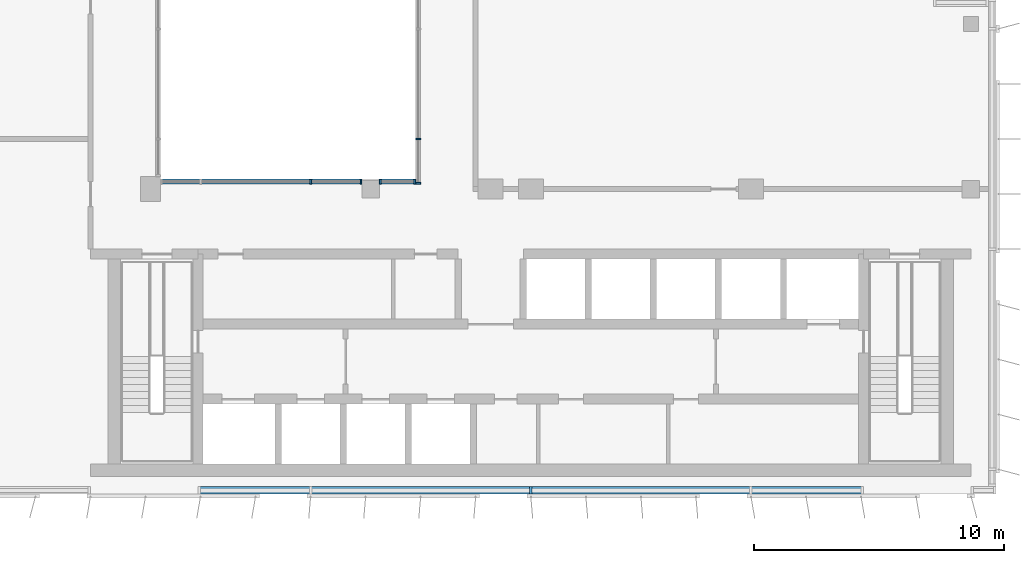
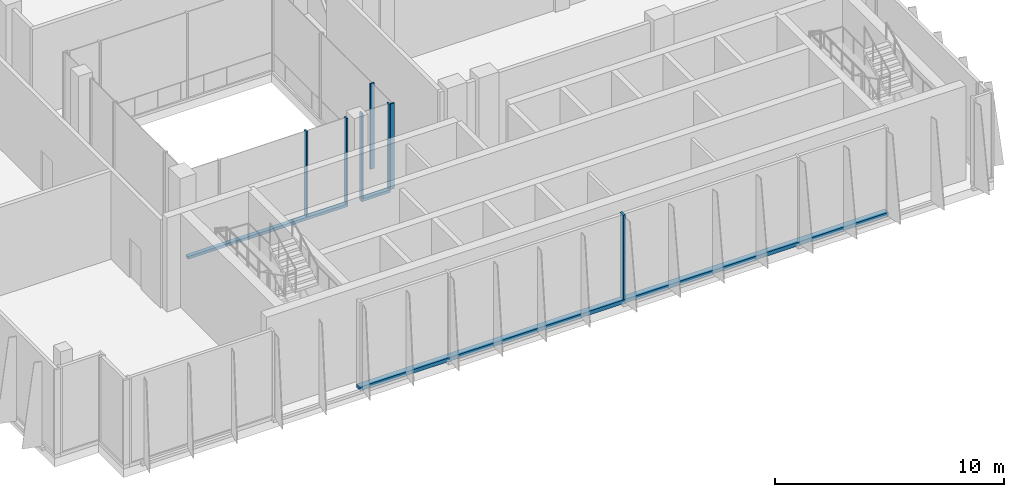
# One storey, part 3 of 14: 10 members, 4 elements without a shape of their own.
"""IFC4 building model written with IfcOpenShell, lengths in metres."""

from ifc_helpers import new_model, si_unit, direction, frame, origin, origin_2d, place, context, subcontext, project, spatial, rectangle, extrude, source, transform, mapped, material, material_profile, profile_set, type_object, element, aggregate, save


model = new_model("IFC4")

# Units and contexts
model_context = context("Model", 3, precision=1e-05, world=origin(), true_north=direction((0.0, 1.0)))
body_context = subcontext(model_context, "Body", "Model", "MODEL_VIEW")
ifc_project = project(units=[si_unit("LENGTHUNIT", "METRE"), si_unit("AREAUNIT", "SQUARE_METRE"), si_unit("VOLUMEUNIT", "CUBIC_METRE"), si_unit("PLANEANGLEUNIT", "RADIAN"), si_unit("MASSUNIT", "GRAM", prefix="KILO")], contexts=[model_context])

# Site, building, storey
site_placement = place(None, origin())
site = spatial("IfcSite", under=ifc_project, at=site_placement, CompositionType="ELEMENT")
building_placement = place(site_placement, origin())
building = spatial("IfcBuilding", under=site, at=building_placement, Name="Kemantara Hotel Tower", CompositionType="ELEMENT")
storey_placement = place(building_placement, frame((0.0, 0.0, 309.199951171875)))
storey = spatial("IfcBuildingStorey", under=building, at=storey_placement, Name="L78", CompositionType="ELEMENT", Elevation=309.199951171875)

# Curtain wall, member
ifc_material_1 = material(Name="Clear low-iron laminated glass 36 mm", Category="glass")
curtain_wall_type_1 = type_object("IfcCurtainWallType", Name="ATRIUM GLAZING WALL", PredefinedType="USERDEFINED", material=ifc_material_1)
curtain_wall_1_placement = place(storey_placement, origin())
curtain_wall_1 = element("IfcCurtainWall", 1, at=curtain_wall_1_placement, inside=storey, type_object=curtain_wall_type_1, Name="CW5 L78 ATR-R2-1", ObjectType="ATRIUM GLAZING WALL", PredefinedType="USERDEFINED")
ifc_material_2 = material(Name="Aluminium 6063-T6 bronze anodised", Category="aluminium")
ifc_material_profile_1 = material_profile(ifc_material_2, rectangle(XDim=0.199951171875, YDim=0.14990234375, at=origin_2d()), Name="ATRIUM GLAZING WALL TRANSOM")
ifc_profile_set_1 = profile_set([ifc_material_profile_1], Name="Aluminium 6063-T6 bronze anodised")
member_type_1 = type_object("IfcMemberType", Name="ATRIUM GLAZING WALL TRANSOM", PredefinedType="USERDEFINED", material=ifc_profile_set_1)
member_1_placement = place(storey_placement, frame((22.800048828125, 12.5, 0.074951171875), z_axis=(-1.0, 0.0, 0.0), x_axis=(0.0, -1.0, 0.0)))
member_1 = element("IfcMember", 2, at=member_1_placement, type_object=member_type_1, Name="CW5 sill transom ATR-R2-1", ObjectType="TRANSOM", PredefinedType="USERDEFINED", context=body_context, shape_type="SweptSolid", body=[
    extrude(rectangle(XDim=0.199951171875, YDim=0.14990234375, at=origin_2d()), origin(), (0.0, 0.0, 1.0), 1.449951171875),
])

curtain_wall_2_placement = place(storey_placement, origin())
curtain_wall_2 = element("IfcCurtainWall", 3, at=curtain_wall_2_placement, inside=storey, type_object=curtain_wall_type_1, Name="CW5 L78 ATR-R2-2", ObjectType="ATRIUM GLAZING WALL", PredefinedType="USERDEFINED")
member_2_placement = place(storey_placement, frame((20.64990234375, 12.5, 0.074951171875), z_axis=(-1.0, 0.0, 0.0), x_axis=(0.0, -1.0, 0.0)))
member_2 = element("IfcMember", 4, at=member_2_placement, type_object=member_type_1, Name="CW5 sill transom ATR-R2-2", ObjectType="TRANSOM", PredefinedType="USERDEFINED", context=body_context, shape_type="SweptSolid", body=[
    extrude(rectangle(XDim=0.199951171875, YDim=0.14990234375, at=origin_2d()), origin(), (0.0, 0.0, 1.0), 8.0498046875),
])

# Curtain wall, members
curtain_wall_type_2 = type_object("IfcCurtainWallType", Name="CROWN LOUVRE SCREEN WALL", PredefinedType="USERDEFINED", material=ifc_material_2)
curtain_wall_3_placement = place(storey_placement, origin())
curtain_wall_3 = element("IfcCurtainWall", 5, at=curtain_wall_3_placement, inside=storey, type_object=curtain_wall_type_2, Name="CW7 L78 CRN-R08-2", ObjectType="CROWN LOUVRE SCREEN WALL", PredefinedType="USERDEFINED")
ifc_material_profile_2 = material_profile(ifc_material_2, rectangle(XDim=0.300048828125, YDim=0.199951171875, at=origin_2d()), Name="CROWN LOUVRE SCREEN WALL TRANSOM")
ifc_profile_set_2 = profile_set([ifc_material_profile_2], Name="Aluminium 6063-T6 bronze anodised")
member_type_2 = type_object("IfcMemberType", Name="CROWN LOUVRE SCREEN WALL TRANSOM", PredefinedType="USERDEFINED", material=ifc_profile_set_2)
member_3_placement = place(storey_placement, frame((14.10009765625, 0.14990234375, 0.10009765625), z_axis=(1.0, 0.0, 0.0), x_axis=(0.0, 1.0, 0.0)))
member_3 = element("IfcMember", 6, at=member_3_placement, type_object=member_type_2, Name="CW7 sill transom CRN-R08-2", ObjectType="TRANSOM", PredefinedType="USERDEFINED", context=body_context, shape_type="SweptSolid", body=[
    extrude(rectangle(XDim=0.300048828125, YDim=0.199951171875, at=origin_2d()), origin(), (0.0, 0.0, 1.0), 26.599853515625),
])
ifc_material_profile_3 = material_profile(ifc_material_2, rectangle(XDim=0.300048828125, YDim=0.10009765625, at=origin_2d()), Name="CROWN LOUVRE SCREEN WALL MULLION")
ifc_profile_set_3 = profile_set([ifc_material_profile_3], Name="Aluminium 6063-T6 bronze anodised")
member_type_3 = type_object("IfcMemberType", Name="CROWN LOUVRE SCREEN WALL MULLION", PredefinedType="MULLION", material=ifc_profile_set_3)
shared_shape_1 = source(origin(), body_context, "Body", "SweptSolid", [
    extrude(rectangle(XDim=0.300048828125, YDim=0.10009765625, at=origin_2d()), origin(), (0.0, 0.0, 1.0), 4.5),
])
member_4_placement = place(storey_placement, frame((27.39990234375, 0.14990234375, 0.199951171875), z_axis=(0.0, 0.0, 1.0), x_axis=(0.0, 1.0, 0.0)))
member_4 = element("IfcMember", 7, at=member_4_placement, type_object=member_type_3, Name="CW7 mullion CRN-R08-2.3", PredefinedType="MULLION", context=body_context, shape_type="MappedRepresentation", body=[
    mapped(shared_shape_1, transform((0.0, 0.0, 0.0))),
])
aggregate(curtain_wall_3, [member_3, member_4])

curtain_wall_4_placement = place(storey_placement, origin())
curtain_wall_4 = element("IfcCurtainWall", 8, at=curtain_wall_4_placement, inside=storey, type_object=curtain_wall_type_1, Name="CW5 L78 ATR-R1-1", ObjectType="ATRIUM GLAZING WALL", PredefinedType="USERDEFINED")
ifc_material_profile_4 = material_profile(ifc_material_2, rectangle(XDim=0.199951171875, YDim=0.074951171875, at=origin_2d()), Name="ATRIUM GLAZING WALL MULLION")
ifc_profile_set_4 = profile_set([ifc_material_profile_4], Name="Aluminium 6063-T6 bronze anodised")
member_type_4 = type_object("IfcMemberType", Name="ATRIUM GLAZING WALL MULLION", PredefinedType="MULLION", material=ifc_profile_set_4)
shared_shape_2 = source(origin(), body_context, "Body", "SweptSolid", [
    extrude(rectangle(XDim=0.199951171875, YDim=0.074951171875, at=origin_2d()), origin(), (0.0, 0.0, 1.0), 4.5498046875),
])
member_5_placement = place(storey_placement, frame((22.89990234375, 14.199951171875, 0.150146484375), z_axis=(0.0, 0.0, 1.0), x_axis=(1.0, 0.0, 0.0)))
member_5 = element("IfcMember", 9, at=member_5_placement, type_object=member_type_4, Name="CW5 mullion ATR-R1-1.3", PredefinedType="MULLION", context=body_context, shape_type="MappedRepresentation", body=[
    mapped(shared_shape_2, transform((0.0, 0.0, 0.0))),
])
member_6_placement = place(storey_placement, frame((22.89990234375, 12.4375, 0.150146484375), z_axis=(0.0, 0.0, 1.0), x_axis=(1.0, 0.0, 0.0)))
member_6 = element("IfcMember", 10, at=member_6_placement, type_object=member_type_4, Name="CW5 mullion ATR-R1-1.4", PredefinedType="MULLION", context=body_context, shape_type="MappedRepresentation", body=[
    mapped(shared_shape_2, transform((0.0, 0.0, 0.0))),
])
aggregate(curtain_wall_4, [member_5, member_6])

# Member
member_7_placement = place(storey_placement, frame((22.762451171875, 12.5, 0.150146484375), z_axis=(0.0, 0.0, 1.0), x_axis=(0.0, -1.0, 0.0)))
member_7 = element("IfcMember", 11, at=member_7_placement, type_object=member_type_4, Name="CW5 mullion ATR-R2-1.1", PredefinedType="MULLION", context=body_context, shape_type="MappedRepresentation", body=[
    mapped(shared_shape_2, transform((0.0, 0.0, 0.0))),
])

member_8_placement = place(storey_placement, frame((21.387451171875, 12.5, 0.150146484375), z_axis=(0.0, 0.0, 1.0), x_axis=(0.0, -1.0, 0.0)))
member_8 = element("IfcMember", 12, at=member_8_placement, type_object=member_type_4, Name="CW5 mullion ATR-R2-1.2", PredefinedType="MULLION", context=body_context, shape_type="MappedRepresentation", body=[
    mapped(shared_shape_2, transform((0.0, 0.0, 0.0))),
])

aggregate(curtain_wall_1, [member_1, member_7, member_8])

member_9_placement = place(storey_placement, frame((20.612548828125, 12.5, 0.150146484375), z_axis=(0.0, 0.0, 1.0), x_axis=(0.0, -1.0, 0.0)))
member_9 = element("IfcMember", 13, at=member_9_placement, type_object=member_type_4, Name="CW5 mullion ATR-R2-2.1", PredefinedType="MULLION", context=body_context, shape_type="MappedRepresentation", body=[
    mapped(shared_shape_2, transform((0.0, 0.0, 0.0))),
])

member_10_placement = place(storey_placement, frame((18.60009765625, 12.5, 0.150146484375), z_axis=(0.0, 0.0, 1.0), x_axis=(0.0, -1.0, 0.0)))
member_10 = element("IfcMember", 14, at=member_10_placement, type_object=member_type_4, Name="CW5 mullion ATR-R2-2.2", PredefinedType="MULLION", context=body_context, shape_type="MappedRepresentation", body=[
    mapped(shared_shape_2, transform((0.0, 0.0, 0.0))),
])

aggregate(curtain_wall_2, [member_2, member_9, member_10])

save(model, "model.ifc")
